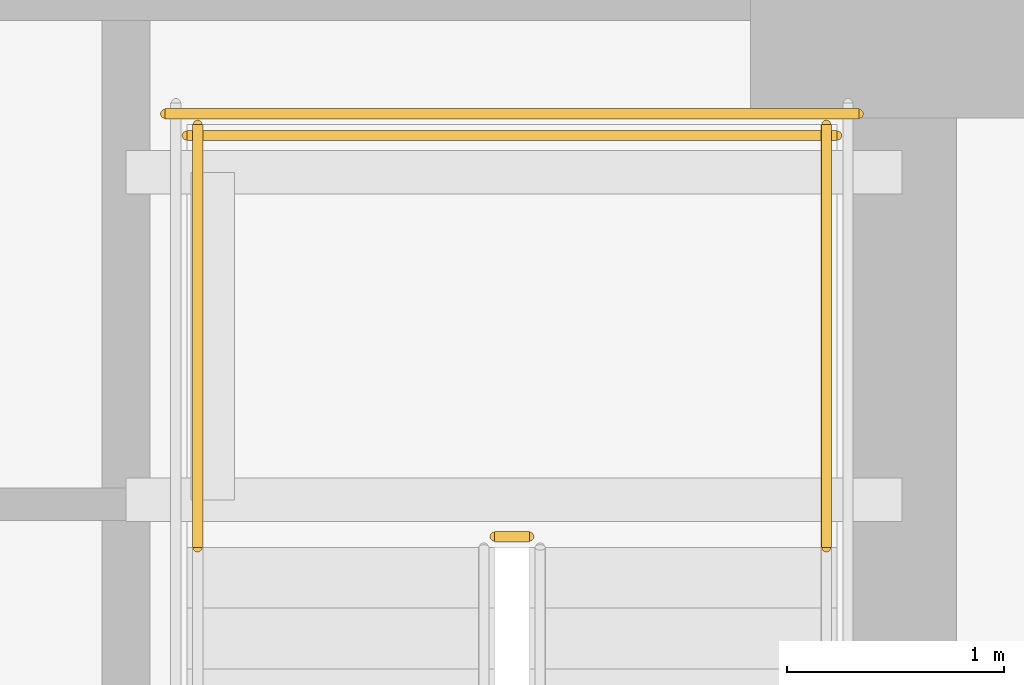
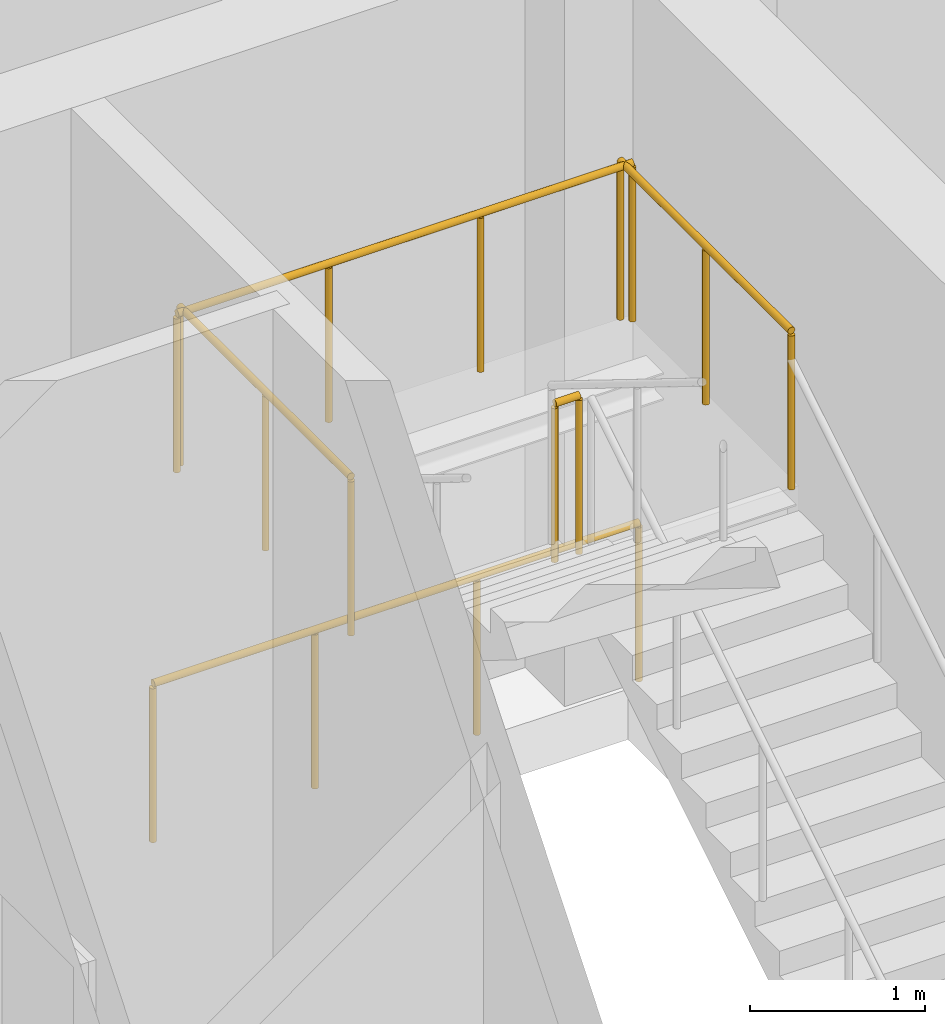
# One storey, part 12 of 15: 5 railings.
"""IFC4 building model written with IfcOpenShell, lengths in metres."""

from ifc_helpers import new_model, si_unit, direction, frame, origin, origin_2d, place, context, subcontext, project, spatial, circle, extrude, material, layer, layer_set, type_object, element, save


model = new_model("IFC4")

# Units and contexts
model_context = context("Model", 3, precision=1e-05, world=origin(), true_north=direction((0.0, 1.0)))
body_context = subcontext(model_context, "Body", "Model", "MODEL_VIEW")
ifc_project = project(units=[si_unit("LENGTHUNIT", "METRE"), si_unit("AREAUNIT", "SQUARE_METRE"), si_unit("VOLUMEUNIT", "CUBIC_METRE"), si_unit("PLANEANGLEUNIT", "RADIAN"), si_unit("MASSUNIT", "GRAM", prefix="KILO")], contexts=[model_context])

# Site, building, storey
site_placement = place(None, origin())
site = spatial("IfcSite", under=ifc_project, at=site_placement, CompositionType="ELEMENT")
building_placement = place(site_placement, origin())
building = spatial("IfcBuilding", under=site, at=building_placement, Name="Yelkora Congress Tower", CompositionType="ELEMENT")
storey_placement = place(building_placement, origin())
storey = spatial("IfcBuildingStorey", under=building, at=storey_placement, Name="L00", CompositionType="ELEMENT", Elevation=0.0)

# Railings
ifc_material = material(Name="Painted galvanised steel stair well guard with vertical infill", Category="steel")
ifc_layer = layer(ifc_material, 0.06005859375)
ifc_layer_set = layer_set([ifc_layer], Name="Painted galvanised steel stair well guard with vertical infill")
railing_type = type_object("IfcRailingType", Name="RAIL-STAIR-GUARD-1120", PredefinedType="GUARDRAIL", material=ifc_layer_set)
railing_1_placement = place(storey_placement, frame((52.0400390625, 43.570068359375, 2.60009765625)))
element("IfcRailing", 1, at=railing_1_placement, inside=storey, type_object=railing_type, Name="ST-02 L00 Stair Well Guardrail 2", PredefinedType="GUARDRAIL", context=body_context, shape_type="SweptSolid", body=[
    extrude(circle(Radius=0.02392578125, at=origin_2d()), frame((0.0, 0.0, 1.09619140625), z_axis=(-1.0, 0.0, 0.0), x_axis=(0.0, -1.0, 0.0)), (0.0, 0.0, 1.0), 0.16015625),
    extrude(circle(Radius=0.02099609375, at=origin_2d()), origin(), (0.0, 0.0, 1.0), 1.072021484375),
    extrude(circle(Radius=0.02099609375, at=origin_2d()), frame((-0.16015625, 0.0, 0.0)), (0.0, 0.0, 1.0), 1.072021484375),
])
for number, where, name in (
    (2, (53.409912109375, 43.52001953125, 2.60009765625), "ST-02 L00 Stair Well Guardrail 3"),
    (3, (50.510009765625, 43.52001953125, 2.60009765625), "ST-02 L00 Stair Well Guardrail 4"),
):
    element("IfcRailing", number, at=place(storey_placement, frame(where)), inside=storey, type_object=railing_type, Name=name, PredefinedType="GUARDRAIL", context=body_context, shape_type="SweptSolid", body=[
        extrude(circle(Radius=0.02392578125, at=origin_2d()), frame((0.0, 0.0, 1.09619140625), z_axis=(0.0, 1.0, 0.0), x_axis=(-1.0, 0.0, 0.0)), (0.0, 0.0, 1.0), 1.949951171875),
        extrude(circle(Radius=0.02099609375, at=origin_2d()), origin(), (0.0, 0.0, 1.0), 1.072021484375),
        extrude(circle(Radius=0.02099609375, at=origin_2d()), frame((0.0, 0.97509765625, 0.0)), (0.0, 0.0, 1.0), 1.072021484375),
        extrude(circle(Radius=0.02099609375, at=origin_2d()), frame((0.0, 1.949951171875, 0.0)), (0.0, 0.0, 1.0), 1.072021484375),
    ])
railing_2_placement = place(storey_placement, frame((53.4599609375, 45.419921875, 2.60009765625)))
element("IfcRailing", 4, at=railing_2_placement, inside=storey, type_object=railing_type, Name="ST-02 L00 Stair Well Guardrail 5", PredefinedType="GUARDRAIL", context=body_context, shape_type="SweptSolid", body=[
    extrude(circle(Radius=0.02392578125, at=origin_2d()), frame((0.0, 0.0, 1.09619140625), z_axis=(-1.0, 0.0, 0.0), x_axis=(0.0, -1.0, 0.0)), (0.0, 0.0, 1.0), 3.0),
    extrude(circle(Radius=0.02099609375, at=origin_2d()), origin(), (0.0, 0.0, 1.0), 1.072021484375),
    extrude(circle(Radius=0.02099609375, at=origin_2d()), frame((-1.0, 0.0, 0.0)), (0.0, 0.0, 1.0), 1.072021484375),
    extrude(circle(Radius=0.02099609375, at=origin_2d()), frame((-2.0, 0.0, 0.0)), (0.0, 0.0, 1.0), 1.072021484375),
    extrude(circle(Radius=0.02099609375, at=origin_2d()), frame((-3.0, 0.0, 0.0)), (0.0, 0.0, 1.0), 1.072021484375),
])
railing_3_placement = place(storey_placement, frame((53.56005859375, 45.52001953125, 0.0)))
element("IfcRailing", 5, at=railing_3_placement, inside=storey, type_object=railing_type, Name="ST-02 L00 Stair Well Guardrail 12", PredefinedType="GUARDRAIL", context=body_context, shape_type="SweptSolid", body=[
    extrude(circle(Radius=0.02392578125, at=origin_2d()), frame((0.0, 0.0, 1.09619140625), z_axis=(-1.0, 0.0, 0.0), x_axis=(0.0, -1.0, 0.0)), (0.0, 0.0, 1.0), 3.199951171875),
    extrude(circle(Radius=0.02099609375, at=origin_2d()), origin(), (0.0, 0.0, 1.0), 1.072021484375),
    extrude(circle(Radius=0.02099609375, at=origin_2d()), frame((-1.066650390625, 0.0, 0.0)), (0.0, 0.0, 1.0), 1.072021484375),
    extrude(circle(Radius=0.02099609375, at=origin_2d()), frame((-2.13330078125, 0.0, 0.0)), (0.0, 0.0, 1.0), 1.072021484375),
    extrude(circle(Radius=0.02099609375, at=origin_2d()), frame((-3.199951171875, 0.0, 0.0)), (0.0, 0.0, 1.0), 1.072021484375),
])

save(model, "model.ifc")
